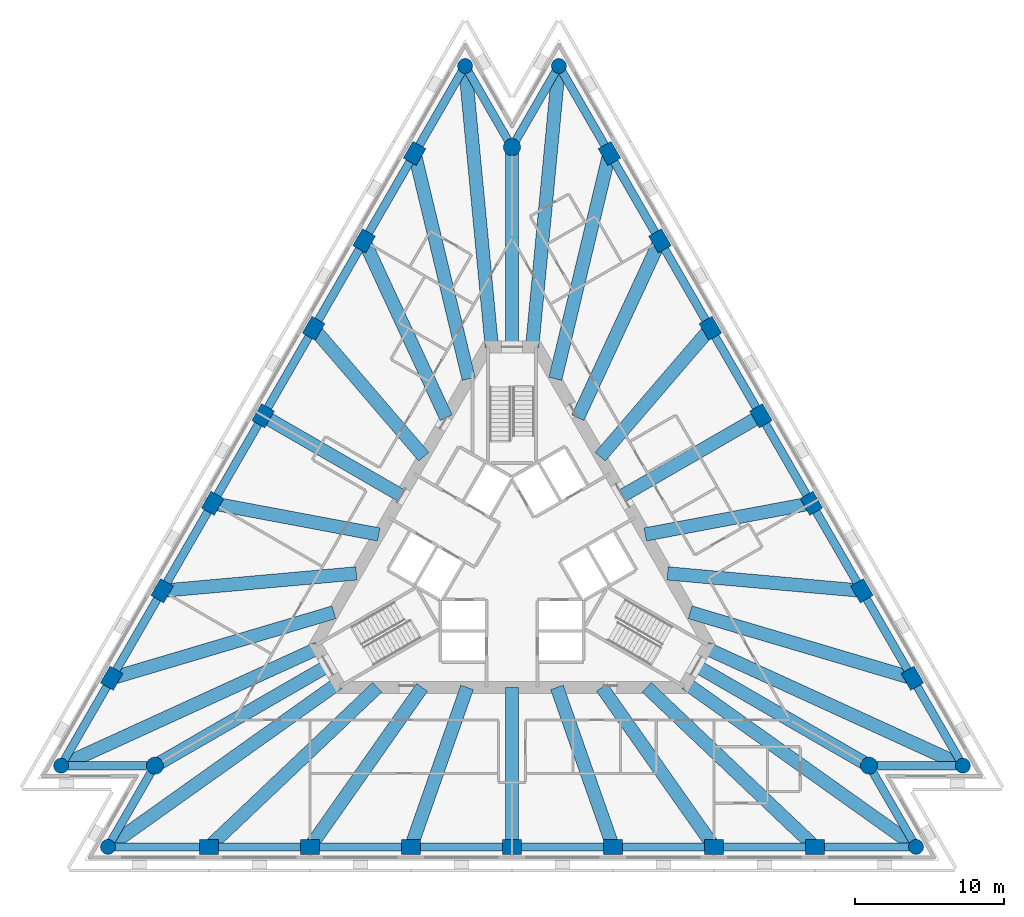
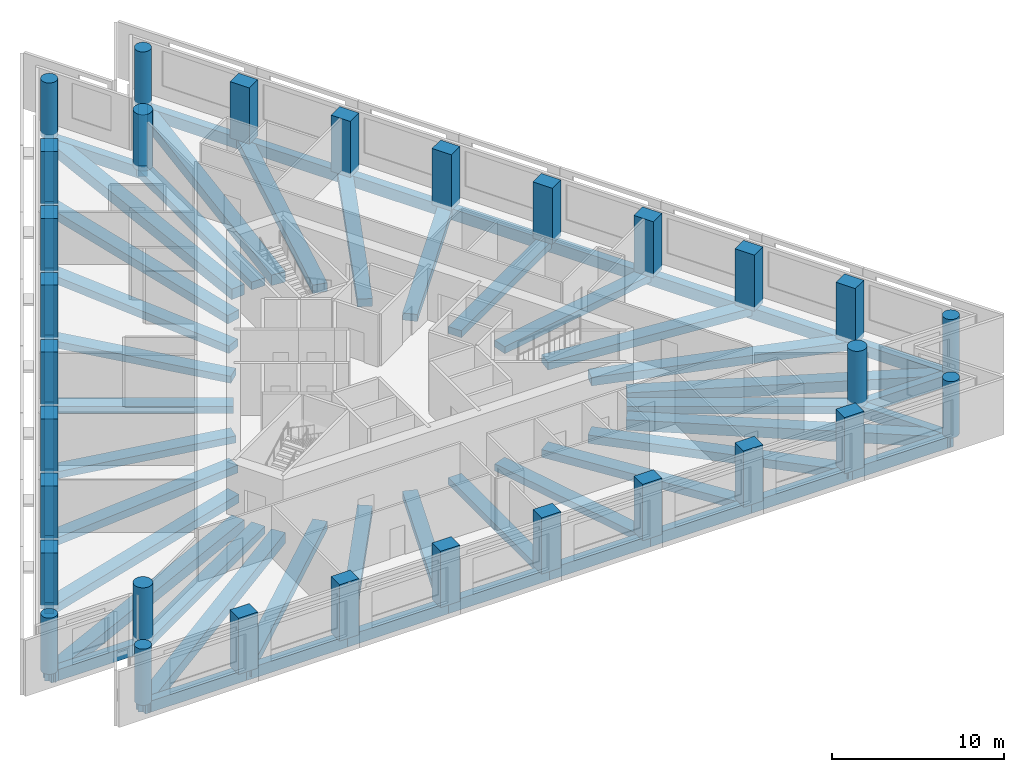
# One storey, part 1 of 9: 60 beams, 30 columns.
"""IFC4 building model written with IfcOpenShell, lengths in metres."""

from ifc_helpers import new_model, si_unit, direction, frame, origin, origin_2d, place, context, subcontext, project, spatial, rectangle, circle, extrude, material, material_profile, profile_set, type_object, element, save


model = new_model("IFC4")

# Units and contexts
model_context = context("Model", 3, precision=1e-05, world=origin(), true_north=direction((0.0, 1.0)))
body_context = subcontext(model_context, "Body", "Model", "MODEL_VIEW")
ifc_project = project(units=[si_unit("LENGTHUNIT", "METRE"), si_unit("AREAUNIT", "SQUARE_METRE"), si_unit("VOLUMEUNIT", "CUBIC_METRE"), si_unit("PLANEANGLEUNIT", "RADIAN"), si_unit("MASSUNIT", "GRAM", prefix="KILO")], contexts=[model_context])

# Site, building, storey
site_placement = place(None, origin())
site = spatial("IfcSite", under=ifc_project, at=site_placement, CompositionType="ELEMENT")
building_placement = place(site_placement, origin())
building = spatial("IfcBuilding", under=site, at=building_placement, Name="Triada Interchange Tower", CompositionType="ELEMENT")
storey_placement = place(building_placement, frame((0.0, 0.0, 136.300048828125)))
storey = spatial("IfcBuildingStorey", under=building, at=storey_placement, Name="L31", CompositionType="ELEMENT", Elevation=136.300048828125)

# Columns
ifc_material_1 = material(Name="Concrete C60/75", Category="concrete")
ifc_material_profile_1 = material_profile(ifc_material_1, rectangle(XDim=1.300048828125, YDim=1.0, at=origin_2d()), Name="RC 1300x1000")
ifc_profile_set_1 = profile_set([ifc_material_profile_1], Name="Concrete C60/75")
column_type_1 = type_object("IfcColumnType", Name="Column B face RC 1300x1000", PredefinedType="COLUMN", material=ifc_profile_set_1)
for number, where, z_axis, x_axis, name in (
    (1, (-6.551025390625, 27.31689453125, -0.300048828125), (0.0, 0.0, 1.0), (0.5, 0.866025403784, 0.0), "Column CB02 L31"),
    (2, (-9.947998046875, 21.43408203125, -0.300048828125), (0.0, 0.0, 1.0), (0.5, 0.866025403784, 0.0), "Column CB03 L31"),
    (3, (-13.344970703125, 15.550048828125, -0.300048828125), (0.0, 0.0, 1.0), (0.5, 0.866025403784, 0.0), "Column CB04 L31"),
    (4, (-16.741943359375, 9.666015625, -0.300048828125), (0.0, 0.0, 1.0), (0.5, 0.866025403784, 0.0), "Column CB05 L31"),
    (5, (-20.138916015625, 3.781982421875, -0.300048828125), (0.0, 0.0, 1.0), (0.5, 0.866025403784, 0.0), "Column CB06 L31"),
    (6, (-23.535888671875, -2.10205078125, -0.300048828125), (0.0, 0.0, 1.0), (0.5, 0.866025403784, 0.0), "Column CB07 L31"),
    (7, (-26.93310546875, -7.985107421875, -0.300048828125), (0.0, 0.0, 1.0), (0.5, 0.866025403784, 0.0), "Column CB08 L31"),
    (8, (-20.382080078125, -19.33203125, -0.300048828125), (0.0, 0.0, 1.0), (1.0, 0.0, 0.0), "Column CB11 L31"),
    (9, (-13.587890625, -19.33203125, -0.300048828125), (0.0, 0.0, 1.0), (1.0, 0.0, 0.0), "Column CB12 L31"),
    (10, (-6.7939453125, -19.33203125, -0.300048828125), (0.0, 0.0, 1.0), (1.0, 0.0, 0.0), "Column CB13 L31"),
    (11, (0.0, -19.33203125, -0.300048828125), (0.0, 0.0, 1.0), (1.0, 0.0, 0.0), "Column CB14 L31"),
    (12, (6.7939453125, -19.33203125, -0.300048828125), (0.0, 0.0, 1.0), (1.0, 0.0, 0.0), "Column CB15 L31"),
    (13, (13.587890625, -19.33203125, -0.300048828125), (0.0, 0.0, 1.0), (1.0, 0.0, 0.0), "Column CB16 L31"),
    (14, (20.382080078125, -19.33203125, -0.300048828125), (0.0, 0.0, 1.0), (1.0, 0.0, 0.0), "Column CB17 L31"),
    (15, (26.93310546875, -7.985107421875, -0.300048828125), (0.0, 0.0, 1.0), (-0.5, 0.866025403784, 0.0), "Column CB20 L31"),
    (16, (23.535888671875, -2.10107421875, -0.300048828125), (0.0, 0.0, 1.0), (-0.5, 0.866025403784, 0.0), "Column CB21 L31"),
    (17, (20.138916015625, 3.781982421875, -0.300048828125), (0.0, 0.0, 1.0), (-0.5, 0.866025403784, 0.0), "Column CB22 L31"),
    (18, (16.741943359375, 9.666015625, -0.300048828125), (0.0, 0.0, 1.0), (-0.5, 0.866025403784, 0.0), "Column CB23 L31"),
    (19, (13.344970703125, 15.550048828125, -0.300048828125), (0.0, 0.0, 1.0), (-0.5, 0.866025403784, 0.0), "Column CB24 L31"),
    (20, (9.947998046875, 21.43408203125, -0.300048828125), (0.0, 0.0, 1.0), (-0.5, 0.866025403784, 0.0), "Column CB25 L31"),
    (21, (6.551025390625, 27.31689453125, -0.300048828125), (0.0, 0.0, 1.0), (-0.5, 0.866025403784, 0.0), "Column CB26 L31"),
):
    element("IfcColumn", number, at=place(storey_placement, frame(where, z_axis=z_axis, x_axis=x_axis)), inside=storey, type_object=column_type_1, Name=name, PredefinedType="COLUMN", context=body_context, shape_type="SweptSolid", body=[
        extrude(rectangle(XDim=1.300048828125, YDim=1.0, at=origin_2d()), origin(), (0.0, 0.0, 1.0), 4.0),
    ])
ifc_material_profile_2 = material_profile(ifc_material_1, circle(Radius=0.5, at=origin_2d()), Name="RC D1000")
ifc_profile_set_2 = profile_set([ifc_material_profile_2], Name="Concrete C60/75")
column_type_2 = type_object("IfcColumnType", Name="End column B RC D1000", PredefinedType="COLUMN", material=ifc_profile_set_2)
for number, where, z_axis, x_axis, name in (
    (22, (-3.154052734375, 33.200927734375, -0.300048828125), (0.0, 0.0, 1.0), (0.5, 0.866025403784, 0.0), "Column CB01 L31"),
    (23, (-30.330078125, -13.868896484375, -0.300048828125), (0.0, 0.0, 1.0), (0.5, 0.866025403784, 0.0), "Column CB09 L31"),
    (24, (-27.176025390625, -19.33203125, -0.300048828125), (0.0, 0.0, 1.0), (1.0, 0.0, 0.0), "Column CB10 L31"),
    (25, (27.176025390625, -19.33203125, -0.300048828125), (0.0, 0.0, 1.0), (1.0, 0.0, 0.0), "Column CB18 L31"),
    (26, (30.330078125, -13.868896484375, -0.300048828125), (0.0, 0.0, 1.0), (-0.5, 0.866025403784, 0.0), "Column CB19 L31"),
    (27, (3.154052734375, 33.200927734375, -0.300048828125), (0.0, 0.0, 1.0), (-0.5, 0.866025403784, 0.0), "Column CB27 L31"),
):
    element("IfcColumn", number, at=place(storey_placement, frame(where, z_axis=z_axis, x_axis=x_axis)), inside=storey, type_object=column_type_2, Name=name, PredefinedType="COLUMN", context=body_context, shape_type="SweptSolid", body=[
        extrude(circle(Radius=0.5, at=origin_2d()), origin(), (0.0, 0.0, 1.0), 4.0),
    ])
ifc_material_profile_3 = material_profile(ifc_material_1, circle(Radius=0.574951171875, at=origin_2d()), Name="RC D1150")
ifc_profile_set_3 = profile_set([ifc_material_profile_3], Name="Concrete C60/75")
column_type_3 = type_object("IfcColumnType", Name="Mega column B RC D1150", PredefinedType="COLUMN", material=ifc_profile_set_3)
for number, where, z_axis, x_axis, name in (
    (28, (0.0, 27.739013671875, -0.300048828125), (0.0, 0.0, 1.0), (1.0, 0.0, 0.0), "Column MB1 L31"),
    (29, (-24.02197265625, -13.868896484375, -0.300048828125), (0.0, 0.0, 1.0), (1.0, 0.0, 0.0), "Column MB2 L31"),
    (30, (24.02197265625, -13.868896484375, -0.300048828125), (0.0, 0.0, 1.0), (1.0, 0.0, 0.0), "Column MB3 L31"),
):
    element("IfcColumn", number, at=place(storey_placement, frame(where, z_axis=z_axis, x_axis=x_axis)), inside=storey, type_object=column_type_3, Name=name, PredefinedType="COLUMN", context=body_context, shape_type="SweptSolid", body=[
        extrude(circle(Radius=0.574951171875, at=origin_2d()), origin(), (0.0, 0.0, 1.0), 4.0),
    ])

# Beams
ifc_material_2 = material(Name="Concrete C50/60", Category="concrete")
ifc_material_profile_4 = material_profile(ifc_material_2, rectangle(XDim=0.89990234375, YDim=0.5, at=origin_2d()), Name="RC 900x500")
ifc_profile_set_4 = profile_set([ifc_material_profile_4], Name="Concrete C50/60")
beam_type_1 = type_object("IfcBeamType", Name="Radial band beam B RC 900x500", PredefinedType="BEAM", material=ifc_profile_set_4)
beam_1_placement = place(storey_placement, frame((-13.344970703125, 15.550048828125, -0.550048828125), z_axis=(0.651256056595, -0.758858055731, 0.0), x_axis=(0.758858055731, 0.651256056595, 0.0)))
element("IfcBeam", 31, at=beam_1_placement, inside=storey, type_object=beam_type_1, Name="Radial band beam BB04 L31", PredefinedType="BEAM", context=body_context, shape_type="SweptSolid", body=[
    extrude(rectangle(XDim=0.89990234375, YDim=0.5, at=origin_2d()), origin(), (0.0, 0.0, 1.0), 11.37646484375),
])
beam_2_placement = place(storey_placement, frame((-16.741943359375, 9.666015625, -0.550048828125), z_axis=(0.866021168401, -0.500007335828, 0.0), x_axis=(0.500007335828, 0.866021168401, 0.0)))
element("IfcBeam", 32, at=beam_2_placement, inside=storey, type_object=beam_type_1, Name="Radial band beam BB05 L31", PredefinedType="BEAM", context=body_context, shape_type="SweptSolid", body=[
    extrude(rectangle(XDim=0.89990234375, YDim=0.5, at=origin_2d()), origin(), (0.0, 0.0, 1.0), 10.731689453125),
])
for number, where, z_axis, x_axis, name in (
    (33, (-20.138916015625, 3.781982421875, -0.550048828125), (0.982810661769, -0.184616367404, 0.0), (0.184616367404, 0.982810661769, 0.0), "Radial band beam BB06 L31"),
    (34, (-6.7939453125, -19.33203125, -0.550048828125), (0.331587190824, 0.943424578269, 0.0), (-0.943424578269, 0.331587190824, 0.0), "Radial band beam BB14 L31"),
):
    element("IfcBeam", number, at=place(storey_placement, frame(where, z_axis=z_axis, x_axis=x_axis)), inside=storey, type_object=beam_type_1, Name=name, PredefinedType="BEAM", context=body_context, shape_type="SweptSolid", body=[
        extrude(rectangle(XDim=0.89990234375, YDim=0.5, at=origin_2d()), origin(), (0.0, 0.0, 1.0), 11.37548828125),
    ])
beam_3_placement = place(storey_placement, frame((0.0, -19.33203125, -0.550048828125), z_axis=(0.0, 1.0, 0.0), x_axis=(-1.0, 0.0, 0.0)))
element("IfcBeam", 35, at=beam_3_placement, inside=storey, type_object=beam_type_1, Name="Radial band beam BB15 L31", PredefinedType="BEAM", context=body_context, shape_type="SweptSolid", body=[
    extrude(rectangle(XDim=0.89990234375, YDim=0.5, at=origin_2d()), origin(), (0.0, 0.0, 1.0), 10.73193359375),
])
for number, where, z_axis, x_axis, name in (
    (36, (6.7939453125, -19.33203125, -0.550048828125), (-0.331587190824, 0.943424578269, 0.0), (-0.943424578269, -0.331587190824, 0.0), "Radial band beam BB16 L31"),
    (37, (20.138916015625, 3.781982421875, -0.550048828125), (-0.982810661769, -0.184616367404, 0.0), (0.184616367404, -0.982810661769, 0.0), "Radial band beam BB24 L31"),
):
    element("IfcBeam", number, at=place(storey_placement, frame(where, z_axis=z_axis, x_axis=x_axis)), inside=storey, type_object=beam_type_1, Name=name, PredefinedType="BEAM", context=body_context, shape_type="SweptSolid", body=[
        extrude(rectangle(XDim=0.89990234375, YDim=0.5, at=origin_2d()), origin(), (0.0, 0.0, 1.0), 11.37548828125),
    ])
beam_4_placement = place(storey_placement, frame((16.741943359375, 9.666015625, -0.550048828125), z_axis=(-0.866021168401, -0.500007335828, 0.0), x_axis=(0.500007335828, -0.866021168401, 0.0)))
element("IfcBeam", 38, at=beam_4_placement, inside=storey, type_object=beam_type_1, Name="Radial band beam BB25 L31", PredefinedType="BEAM", context=body_context, shape_type="SweptSolid", body=[
    extrude(rectangle(XDim=0.89990234375, YDim=0.5, at=origin_2d()), origin(), (0.0, 0.0, 1.0), 10.731689453125),
])
beam_5_placement = place(storey_placement, frame((13.344970703125, 15.550048828125, -0.550048828125), z_axis=(-0.651256056595, -0.758858055731, 0.0), x_axis=(0.758858055731, -0.651256056595, 0.0)))
element("IfcBeam", 39, at=beam_5_placement, inside=storey, type_object=beam_type_1, Name="Radial band beam BB26 L31", PredefinedType="BEAM", context=body_context, shape_type="SweptSolid", body=[
    extrude(rectangle(XDim=0.89990234375, YDim=0.5, at=origin_2d()), origin(), (0.0, 0.0, 1.0), 11.37646484375),
])
ifc_material_profile_5 = material_profile(ifc_material_2, rectangle(XDim=0.89990234375, YDim=0.550048828125, at=origin_2d()), Name="RC 900x550")
ifc_profile_set_5 = profile_set([ifc_material_profile_5], Name="Concrete C50/60")
beam_type_2 = type_object("IfcBeamType", Name="Radial band beam B RC 900x550", PredefinedType="BEAM", material=ifc_profile_set_5)
beam_6_placement = place(storey_placement, frame((-9.947998046875, 21.43408203125, -0.574951171875), z_axis=(0.421006866112, -0.907057450599, 0.0), x_axis=(0.907057450599, 0.421006866112, 0.0)))
element("IfcBeam", 40, at=beam_6_placement, inside=storey, type_object=beam_type_2, Name="Radial band beam BB03 L31", PredefinedType="BEAM", context=body_context, shape_type="SweptSolid", body=[
    extrude(rectangle(XDim=0.89990234375, YDim=0.550048828125, at=origin_2d()), origin(), (0.0, 0.0, 1.0), 13.118408203125),
])
beam_7_placement = place(storey_placement, frame((-23.535888671875, -2.10205078125, -0.574951171875), z_axis=(0.996035055379, 0.088961612256, 0.0), x_axis=(-0.088961612256, 0.996035055379, 0.0)))
element("IfcBeam", 41, at=beam_7_placement, inside=storey, type_object=beam_type_2, Name="Radial band beam BB07 L31", PredefinedType="BEAM", context=body_context, shape_type="SweptSolid", body=[
    extrude(rectangle(XDim=0.89990234375, YDim=0.550048828125, at=origin_2d()), origin(), (0.0, 0.0, 1.0), 13.117919921875),
])
beam_8_placement = place(storey_placement, frame((-24.02197265625, -13.868896484375, -0.574951171875), z_axis=(0.866030989016, 0.499990325971, 0.0), x_axis=(-0.499990325971, 0.866030989016, 0.0)))
element("IfcBeam", 42, at=beam_8_placement, inside=storey, type_object=beam_type_2, Name="Radial band beam BB10 L31", PredefinedType="BEAM", context=body_context, shape_type="SweptSolid", body=[
    extrude(rectangle(XDim=0.89990234375, YDim=0.550048828125, at=origin_2d()), origin(), (0.0, 0.0, 1.0), 13.438232421875),
])
for number, where, z_axis, x_axis, name in (
    (43, (-13.587890625, -19.33203125, -0.574951171875), (0.575027678411, 0.81813395545, 0.0), (-0.81813395545, 0.575027678411, 0.0), "Radial band beam BB13 L31"),
    (44, (13.587890625, -19.33203125, -0.574951171875), (-0.575027678411, 0.81813395545, 0.0), (-0.81813395545, -0.575027678411, 0.0), "Radial band beam BB17 L31"),
):
    element("IfcBeam", number, at=place(storey_placement, frame(where, z_axis=z_axis, x_axis=x_axis)), inside=storey, type_object=beam_type_2, Name=name, PredefinedType="BEAM", context=body_context, shape_type="SweptSolid", body=[
        extrude(rectangle(XDim=0.89990234375, YDim=0.550048828125, at=origin_2d()), origin(), (0.0, 0.0, 1.0), 13.11767578125),
    ])
beam_9_placement = place(storey_placement, frame((24.02197265625, -13.868896484375, -0.574951171875), z_axis=(-0.866030989016, 0.499990325971, 0.0), x_axis=(-0.499990325971, -0.866030989016, 0.0)))
element("IfcBeam", 45, at=beam_9_placement, inside=storey, type_object=beam_type_2, Name="Radial band beam BB20 L31", PredefinedType="BEAM", context=body_context, shape_type="SweptSolid", body=[
    extrude(rectangle(XDim=0.89990234375, YDim=0.550048828125, at=origin_2d()), origin(), (0.0, 0.0, 1.0), 13.438232421875),
])
beam_10_placement = place(storey_placement, frame((23.535888671875, -2.10107421875, -0.574951171875), z_axis=(-0.996041649161, 0.088887755828, 0.0), x_axis=(-0.088887755828, -0.996041649161, 0.0)))
element("IfcBeam", 46, at=beam_10_placement, inside=storey, type_object=beam_type_2, Name="Radial band beam BB23 L31", PredefinedType="BEAM", context=body_context, shape_type="SweptSolid", body=[
    extrude(rectangle(XDim=0.89990234375, YDim=0.550048828125, at=origin_2d()), origin(), (0.0, 0.0, 1.0), 13.117919921875),
])
beam_11_placement = place(storey_placement, frame((9.947998046875, 21.43408203125, -0.574951171875), z_axis=(-0.421006866112, -0.907057450599, 0.0), x_axis=(0.907057450599, -0.421006866112, 0.0)))
element("IfcBeam", 47, at=beam_11_placement, inside=storey, type_object=beam_type_2, Name="Radial band beam BB27 L31", PredefinedType="BEAM", context=body_context, shape_type="SweptSolid", body=[
    extrude(rectangle(XDim=0.89990234375, YDim=0.550048828125, at=origin_2d()), origin(), (0.0, 0.0, 1.0), 13.118408203125),
])
beam_12_placement = place(storey_placement, frame((0.0, 27.739013671875, -0.574951171875), z_axis=(0.0, -1.0, 0.0), x_axis=(1.0, 0.0, 0.0)))
element("IfcBeam", 48, at=beam_12_placement, inside=storey, type_object=beam_type_2, Name="Radial band beam BB30 L31", PredefinedType="BEAM", context=body_context, shape_type="SweptSolid", body=[
    extrude(rectangle(XDim=0.89990234375, YDim=0.550048828125, at=origin_2d()), origin(), (0.0, 0.0, 1.0), 13.43896484375),
])
ifc_material_profile_6 = material_profile(ifc_material_2, rectangle(XDim=0.89990234375, YDim=0.60009765625, at=origin_2d()), Name="RC 900x600")
ifc_profile_set_6 = profile_set([ifc_material_profile_6], Name="Concrete C50/60")
beam_type_3 = type_object("IfcBeamType", Name="Radial band beam B RC 900x600", PredefinedType="BEAM", material=ifc_profile_set_6)
beam_13_placement = place(storey_placement, frame((-6.551025390625, 27.31689453125, -0.60009765625), z_axis=(0.23321604182, -0.972424947149, 0.0), x_axis=(0.972424947149, 0.23321604182, 0.0)))
element("IfcBeam", 49, at=beam_13_placement, inside=storey, type_object=beam_type_3, Name="Radial band beam BB02 L31", PredefinedType="BEAM", context=body_context, shape_type="SweptSolid", body=[
    extrude(rectangle(XDim=0.89990234375, YDim=0.60009765625, at=origin_2d()), origin(), (0.0, 0.0, 1.0), 15.5947265625),
])
beam_14_placement = place(storey_placement, frame((-26.93310546875, -7.985107421875, -0.60009765625), z_axis=(0.958748508844, 0.284255689106, 0.0), x_axis=(-0.284255689106, 0.958748508844, 0.0)))
element("IfcBeam", 50, at=beam_14_placement, inside=storey, type_object=beam_type_3, Name="Radial band beam BB08 L31", PredefinedType="BEAM", context=body_context, shape_type="SweptSolid", body=[
    extrude(rectangle(XDim=0.89990234375, YDim=0.60009765625, at=origin_2d()), origin(), (0.0, 0.0, 1.0), 15.595458984375),
])
for number, where, z_axis, x_axis, name in (
    (51, (-20.382080078125, -19.33203125, -0.60009765625), (0.725559294955, 0.68815965408, 0.0), (-0.68815965408, 0.725559294955, 0.0), "Radial band beam BB12 L31"),
    (52, (20.382080078125, -19.33203125, -0.60009765625), (-0.725559294955, 0.68815965408, 0.0), (-0.68815965408, -0.725559294955, 0.0), "Radial band beam BB18 L31"),
):
    element("IfcBeam", number, at=place(storey_placement, frame(where, z_axis=z_axis, x_axis=x_axis)), inside=storey, type_object=beam_type_3, Name=name, PredefinedType="BEAM", context=body_context, shape_type="SweptSolid", body=[
        extrude(rectangle(XDim=0.89990234375, YDim=0.60009765625, at=origin_2d()), origin(), (0.0, 0.0, 1.0), 15.59521484375),
    ])
beam_15_placement = place(storey_placement, frame((26.93310546875, -7.985107421875, -0.60009765625), z_axis=(-0.958748508844, 0.284255689106, 0.0), x_axis=(-0.284255689106, -0.958748508844, 0.0)))
element("IfcBeam", 53, at=beam_15_placement, inside=storey, type_object=beam_type_3, Name="Radial band beam BB22 L31", PredefinedType="BEAM", context=body_context, shape_type="SweptSolid", body=[
    extrude(rectangle(XDim=0.89990234375, YDim=0.60009765625, at=origin_2d()), origin(), (0.0, 0.0, 1.0), 15.595458984375),
])
beam_16_placement = place(storey_placement, frame((6.551025390625, 27.31689453125, -0.60009765625), z_axis=(-0.23321604182, -0.972424947149, 0.0), x_axis=(0.972424947149, -0.23321604182, 0.0)))
element("IfcBeam", 54, at=beam_16_placement, inside=storey, type_object=beam_type_3, Name="Radial band beam BB28 L31", PredefinedType="BEAM", context=body_context, shape_type="SweptSolid", body=[
    extrude(rectangle(XDim=0.89990234375, YDim=0.60009765625, at=origin_2d()), origin(), (0.0, 0.0, 1.0), 15.5947265625),
])
ifc_material_profile_7 = material_profile(ifc_material_2, rectangle(XDim=0.89990234375, YDim=0.75, at=origin_2d()), Name="RC 900x750")
ifc_profile_set_7 = profile_set([ifc_material_profile_7], Name="Concrete C50/60")
beam_type_4 = type_object("IfcBeamType", Name="Radial band beam B RC 900x750", PredefinedType="BEAM", material=ifc_profile_set_7)
beam_17_placement = place(storey_placement, frame((-3.154052734375, 33.200927734375, -0.675048828125), z_axis=(0.094603376124, -0.995515043194, 0.0), x_axis=(0.995515043194, 0.094603376124, 0.0)))
element("IfcBeam", 55, at=beam_17_placement, inside=storey, type_object=beam_type_4, Name="Radial band beam BB01 L31", PredefinedType="BEAM", context=body_context, shape_type="SweptSolid", body=[
    extrude(rectangle(XDim=0.89990234375, YDim=0.75, at=origin_2d()), origin(), (0.0, 0.0, 1.0), 18.986083984375),
])
beam_18_placement = place(storey_placement, frame((-30.330078125, -13.868896484375, -0.675048828125), z_axis=(0.909425292893, 0.415867330582, 0.0), x_axis=(-0.415867330582, 0.909425292893, 0.0)))
element("IfcBeam", 56, at=beam_18_placement, inside=storey, type_object=beam_type_4, Name="Radial band beam BB09 L31", PredefinedType="BEAM", context=body_context, shape_type="SweptSolid", body=[
    extrude(rectangle(XDim=0.89990234375, YDim=0.75, at=origin_2d()), origin(), (0.0, 0.0, 1.0), 18.98681640625),
])
for number, where, z_axis, x_axis, name in (
    (57, (-27.176025390625, -19.33203125, -0.675048828125), (0.814842351671, 0.579682621719, 0.0), (-0.579682621719, 0.814842351671, 0.0), "Radial band beam BB11 L31"),
    (58, (27.176025390625, -19.33203125, -0.675048828125), (-0.814842351671, 0.579682621719, 0.0), (-0.579682621719, -0.814842351671, 0.0), "Radial band beam BB19 L31"),
):
    element("IfcBeam", number, at=place(storey_placement, frame(where, z_axis=z_axis, x_axis=x_axis)), inside=storey, type_object=beam_type_4, Name=name, PredefinedType="BEAM", context=body_context, shape_type="SweptSolid", body=[
        extrude(rectangle(XDim=0.89990234375, YDim=0.75, at=origin_2d()), origin(), (0.0, 0.0, 1.0), 18.986328125),
    ])
beam_19_placement = place(storey_placement, frame((30.330078125, -13.868896484375, -0.675048828125), z_axis=(-0.909425292893, 0.415867330582, 0.0), x_axis=(-0.415867330582, -0.909425292893, 0.0)))
element("IfcBeam", 59, at=beam_19_placement, inside=storey, type_object=beam_type_4, Name="Radial band beam BB21 L31", PredefinedType="BEAM", context=body_context, shape_type="SweptSolid", body=[
    extrude(rectangle(XDim=0.89990234375, YDim=0.75, at=origin_2d()), origin(), (0.0, 0.0, 1.0), 18.98681640625),
])
beam_20_placement = place(storey_placement, frame((3.154052734375, 33.200927734375, -0.675048828125), z_axis=(-0.094603376124, -0.995515043194, 0.0), x_axis=(0.995515043194, -0.094603376124, 0.0)))
element("IfcBeam", 60, at=beam_20_placement, inside=storey, type_object=beam_type_4, Name="Radial band beam BB29 L31", PredefinedType="BEAM", context=body_context, shape_type="SweptSolid", body=[
    extrude(rectangle(XDim=0.89990234375, YDim=0.75, at=origin_2d()), origin(), (0.0, 0.0, 1.0), 18.986083984375),
])
ifc_material_profile_8 = material_profile(ifc_material_2, rectangle(XDim=0.550048828125, YDim=0.800048828125, at=origin_2d()), Name="RC 550x800")
ifc_profile_set_8 = profile_set([ifc_material_profile_8], Name="Concrete C50/60")
beam_type_5 = type_object("IfcBeamType", Name="Spandrel beam B RC 550x800", PredefinedType="BEAM", material=ifc_profile_set_8)
beam_21_placement = place(storey_placement, frame((-3.154052734375, 33.200927734375, -0.699951171875), z_axis=(-0.499980627034, -0.866036588483, 0.0), x_axis=(0.866036588483, -0.499980627034, 0.0)))
element("IfcBeam", 61, at=beam_21_placement, inside=storey, type_object=beam_type_5, Name="Spandrel beam EB01 L31", PredefinedType="BEAM", context=body_context, shape_type="SweptSolid", body=[
    extrude(rectangle(XDim=0.550048828125, YDim=0.800048828125, at=origin_2d()), origin(), (0.0, 0.0, 1.0), 6.794189453125),
])
beam_22_placement = place(storey_placement, frame((-6.551025390625, 27.31689453125, -0.699951171875), z_axis=(-0.50005843372, -0.865991664432, 0.0), x_axis=(0.865991664432, -0.50005843372, 0.0)))
element("IfcBeam", 62, at=beam_22_placement, inside=storey, type_object=beam_type_5, Name="Spandrel beam EB02 L31", PredefinedType="BEAM", context=body_context, shape_type="SweptSolid", body=[
    extrude(rectangle(XDim=0.550048828125, YDim=0.800048828125, at=origin_2d()), origin(), (0.0, 0.0, 1.0), 6.793212890625),
])
for number, where, z_axis, x_axis, name in (
    (63, (-9.947998046875, 21.43408203125, -0.699951171875), (-0.499980627034, -0.866036588483, 0.0), (0.866036588483, -0.499980627034, 0.0), "Spandrel beam EB03 L31"),
    (64, (-13.344970703125, 15.550048828125, -0.699951171875), (-0.499980627034, -0.866036588483, 0.0), (0.866036588483, -0.499980627034, 0.0), "Spandrel beam EB04 L31"),
    (65, (-16.741943359375, 9.666015625, -0.699951171875), (-0.499980627034, -0.866036588483, 0.0), (0.866036588483, -0.499980627034, 0.0), "Spandrel beam EB05 L31"),
    (66, (-20.138916015625, 3.781982421875, -0.699951171875), (-0.499980627034, -0.866036588483, 0.0), (0.866036588483, -0.499980627034, 0.0), "Spandrel beam EB06 L31"),
):
    element("IfcBeam", number, at=place(storey_placement, frame(where, z_axis=z_axis, x_axis=x_axis)), inside=storey, type_object=beam_type_5, Name=name, PredefinedType="BEAM", context=body_context, shape_type="SweptSolid", body=[
        extrude(rectangle(XDim=0.550048828125, YDim=0.800048828125, at=origin_2d()), origin(), (0.0, 0.0, 1.0), 6.794189453125),
    ])
beam_23_placement = place(storey_placement, frame((-23.535888671875, -2.10205078125, -0.699951171875), z_axis=(-0.500069822084, -0.865985088232, 0.0), x_axis=(0.865985088232, -0.500069822084, 0.0)))
element("IfcBeam", 67, at=beam_23_placement, inside=storey, type_object=beam_type_5, Name="Spandrel beam EB07 L31", PredefinedType="BEAM", context=body_context, shape_type="SweptSolid", body=[
    extrude(rectangle(XDim=0.550048828125, YDim=0.800048828125, at=origin_2d()), origin(), (0.0, 0.0, 1.0), 6.79345703125),
])
beam_24_placement = place(storey_placement, frame((-26.93310546875, -7.985107421875, -0.699951171875), z_axis=(-0.499996186757, -0.86602760535, 0.0), x_axis=(0.86602760535, -0.499996186757, 0.0)))
element("IfcBeam", 68, at=beam_24_placement, inside=storey, type_object=beam_type_5, Name="Spandrel beam EB08 L31", PredefinedType="BEAM", context=body_context, shape_type="SweptSolid", body=[
    extrude(rectangle(XDim=0.550048828125, YDim=0.800048828125, at=origin_2d()), origin(), (0.0, 0.0, 1.0), 6.7939453125),
])
beam_25_placement = place(storey_placement, frame((-30.330078125, -13.868896484375, -0.699951171875), z_axis=(1.0, 0.0, 0.0), x_axis=(0.0, 1.0, 0.0)))
element("IfcBeam", 69, at=beam_25_placement, inside=storey, type_object=beam_type_5, Name="Spandrel beam EB09 L31", PredefinedType="BEAM", context=body_context, shape_type="SweptSolid", body=[
    extrude(rectangle(XDim=0.550048828125, YDim=0.800048828125, at=origin_2d()), origin(), (0.0, 0.0, 1.0), 6.30810546875),
])
beam_26_placement = place(storey_placement, frame((-24.02197265625, -13.868896484375, -0.699951171875), z_axis=(-0.499989348039, -0.866031553609, 0.0), x_axis=(0.866031553609, -0.499989348039, 0.0)))
element("IfcBeam", 70, at=beam_26_placement, inside=storey, type_object=beam_type_5, Name="Spandrel beam EB10 L31", PredefinedType="BEAM", context=body_context, shape_type="SweptSolid", body=[
    extrude(rectangle(XDim=0.550048828125, YDim=0.800048828125, at=origin_2d()), origin(), (0.0, 0.0, 1.0), 6.308349609375),
])
beam_27_placement = place(storey_placement, frame((-27.176025390625, -19.33203125, -0.699951171875), z_axis=(1.0, 0.0, 0.0), x_axis=(0.0, 1.0, 0.0)))
element("IfcBeam", 71, at=beam_27_placement, inside=storey, type_object=beam_type_5, Name="Spandrel beam EB11 L31", PredefinedType="BEAM", context=body_context, shape_type="SweptSolid", body=[
    extrude(rectangle(XDim=0.550048828125, YDim=0.800048828125, at=origin_2d()), origin(), (0.0, 0.0, 1.0), 6.7939453125),
])
beam_28_placement = place(storey_placement, frame((-20.382080078125, -19.33203125, -0.699951171875), z_axis=(1.0, 0.0, 0.0), x_axis=(0.0, 1.0, 0.0)))
element("IfcBeam", 72, at=beam_28_placement, inside=storey, type_object=beam_type_5, Name="Spandrel beam EB12 L31", PredefinedType="BEAM", context=body_context, shape_type="SweptSolid", body=[
    extrude(rectangle(XDim=0.550048828125, YDim=0.800048828125, at=origin_2d()), origin(), (0.0, 0.0, 1.0), 6.794189453125),
])
for number, where, z_axis, x_axis, name in (
    (73, (-13.587890625, -19.33203125, -0.699951171875), (1.0, 0.0, 0.0), (0.0, 1.0, 0.0), "Spandrel beam EB13 L31"),
    (74, (-6.7939453125, -19.33203125, -0.699951171875), (1.0, 0.0, 0.0), (0.0, 1.0, 0.0), "Spandrel beam EB14 L31"),
    (75, (0.0, -19.33203125, -0.699951171875), (1.0, 0.0, 0.0), (0.0, 1.0, 0.0), "Spandrel beam EB15 L31"),
    (76, (6.7939453125, -19.33203125, -0.699951171875), (1.0, 0.0, 0.0), (0.0, 1.0, 0.0), "Spandrel beam EB16 L31"),
):
    element("IfcBeam", number, at=place(storey_placement, frame(where, z_axis=z_axis, x_axis=x_axis)), inside=storey, type_object=beam_type_5, Name=name, PredefinedType="BEAM", context=body_context, shape_type="SweptSolid", body=[
        extrude(rectangle(XDim=0.550048828125, YDim=0.800048828125, at=origin_2d()), origin(), (0.0, 0.0, 1.0), 6.7939453125),
    ])
beam_29_placement = place(storey_placement, frame((13.587890625, -19.33203125, -0.699951171875), z_axis=(1.0, 0.0, 0.0), x_axis=(0.0, 1.0, 0.0)))
element("IfcBeam", 77, at=beam_29_placement, inside=storey, type_object=beam_type_5, Name="Spandrel beam EB17 L31", PredefinedType="BEAM", context=body_context, shape_type="SweptSolid", body=[
    extrude(rectangle(XDim=0.550048828125, YDim=0.800048828125, at=origin_2d()), origin(), (0.0, 0.0, 1.0), 6.794189453125),
])
beam_30_placement = place(storey_placement, frame((20.382080078125, -19.33203125, -0.699951171875), z_axis=(1.0, 0.0, 0.0), x_axis=(0.0, 1.0, 0.0)))
element("IfcBeam", 78, at=beam_30_placement, inside=storey, type_object=beam_type_5, Name="Spandrel beam EB18 L31", PredefinedType="BEAM", context=body_context, shape_type="SweptSolid", body=[
    extrude(rectangle(XDim=0.550048828125, YDim=0.800048828125, at=origin_2d()), origin(), (0.0, 0.0, 1.0), 6.7939453125),
])
beam_31_placement = place(storey_placement, frame((27.176025390625, -19.33203125, -0.699951171875), z_axis=(-0.499989348039, 0.866031553609, 0.0), x_axis=(-0.866031553609, -0.499989348039, 0.0)))
element("IfcBeam", 79, at=beam_31_placement, inside=storey, type_object=beam_type_5, Name="Spandrel beam EB19 L31", PredefinedType="BEAM", context=body_context, shape_type="SweptSolid", body=[
    extrude(rectangle(XDim=0.550048828125, YDim=0.800048828125, at=origin_2d()), origin(), (0.0, 0.0, 1.0), 6.308349609375),
])
beam_32_placement = place(storey_placement, frame((24.02197265625, -13.868896484375, -0.699951171875), z_axis=(1.0, 0.0, 0.0), x_axis=(0.0, 1.0, 0.0)))
element("IfcBeam", 80, at=beam_32_placement, inside=storey, type_object=beam_type_5, Name="Spandrel beam EB20 L31", PredefinedType="BEAM", context=body_context, shape_type="SweptSolid", body=[
    extrude(rectangle(XDim=0.550048828125, YDim=0.800048828125, at=origin_2d()), origin(), (0.0, 0.0, 1.0), 6.30810546875),
])
beam_33_placement = place(storey_placement, frame((30.330078125, -13.868896484375, -0.699951171875), z_axis=(-0.499996186757, 0.86602760535, 0.0), x_axis=(-0.86602760535, -0.499996186757, 0.0)))
element("IfcBeam", 81, at=beam_33_placement, inside=storey, type_object=beam_type_5, Name="Spandrel beam EB21 L31", PredefinedType="BEAM", context=body_context, shape_type="SweptSolid", body=[
    extrude(rectangle(XDim=0.550048828125, YDim=0.800048828125, at=origin_2d()), origin(), (0.0, 0.0, 1.0), 6.7939453125),
])
beam_34_placement = place(storey_placement, frame((26.93310546875, -7.985107421875, -0.699951171875), z_axis=(-0.500007577232, 0.866021029023, 0.0), x_axis=(-0.866021029023, -0.500007577232, 0.0)))
element("IfcBeam", 82, at=beam_34_placement, inside=storey, type_object=beam_type_5, Name="Spandrel beam EB22 L31", PredefinedType="BEAM", context=body_context, shape_type="SweptSolid", body=[
    extrude(rectangle(XDim=0.550048828125, YDim=0.800048828125, at=origin_2d()), origin(), (0.0, 0.0, 1.0), 6.79443359375),
])
beam_35_placement = place(storey_placement, frame((23.535888671875, -2.10107421875, -0.699951171875), z_axis=(-0.500042870768, 0.86600065092, 0.0), x_axis=(-0.86600065092, -0.500042870768, 0.0)))
element("IfcBeam", 83, at=beam_35_placement, inside=storey, type_object=beam_type_5, Name="Spandrel beam EB23 L31", PredefinedType="BEAM", context=body_context, shape_type="SweptSolid", body=[
    extrude(rectangle(XDim=0.550048828125, YDim=0.800048828125, at=origin_2d()), origin(), (0.0, 0.0, 1.0), 6.79345703125),
])
for number, where, z_axis, x_axis, name in (
    (84, (20.138916015625, 3.781982421875, -0.699951171875), (-0.499980627034, 0.866036588483, 0.0), (-0.866036588483, -0.499980627034, 0.0), "Spandrel beam EB24 L31"),
    (85, (16.741943359375, 9.666015625, -0.699951171875), (-0.499980627034, 0.866036588483, 0.0), (-0.866036588483, -0.499980627034, 0.0), "Spandrel beam EB25 L31"),
    (86, (13.344970703125, 15.550048828125, -0.699951171875), (-0.499980627034, 0.866036588483, 0.0), (-0.866036588483, -0.499980627034, 0.0), "Spandrel beam EB26 L31"),
):
    element("IfcBeam", number, at=place(storey_placement, frame(where, z_axis=z_axis, x_axis=x_axis)), inside=storey, type_object=beam_type_5, Name=name, PredefinedType="BEAM", context=body_context, shape_type="SweptSolid", body=[
        extrude(rectangle(XDim=0.550048828125, YDim=0.800048828125, at=origin_2d()), origin(), (0.0, 0.0, 1.0), 6.794189453125),
    ])
beam_36_placement = place(storey_placement, frame((9.947998046875, 21.43408203125, -0.699951171875), z_axis=(-0.50005843372, 0.865991664432, 0.0), x_axis=(-0.865991664432, -0.50005843372, 0.0)))
element("IfcBeam", 87, at=beam_36_placement, inside=storey, type_object=beam_type_5, Name="Spandrel beam EB27 L31", PredefinedType="BEAM", context=body_context, shape_type="SweptSolid", body=[
    extrude(rectangle(XDim=0.550048828125, YDim=0.800048828125, at=origin_2d()), origin(), (0.0, 0.0, 1.0), 6.793212890625),
])
beam_37_placement = place(storey_placement, frame((6.551025390625, 27.31689453125, -0.699951171875), z_axis=(-0.499980627034, 0.866036588483, 0.0), x_axis=(-0.866036588483, -0.499980627034, 0.0)))
element("IfcBeam", 88, at=beam_37_placement, inside=storey, type_object=beam_type_5, Name="Spandrel beam EB28 L31", PredefinedType="BEAM", context=body_context, shape_type="SweptSolid", body=[
    extrude(rectangle(XDim=0.550048828125, YDim=0.800048828125, at=origin_2d()), origin(), (0.0, 0.0, 1.0), 6.794189453125),
])
for number, where, z_axis, x_axis, name in (
    (89, (3.154052734375, 33.200927734375, -0.699951171875), (-0.50007315054, -0.865983166181, 0.0), (0.865983166181, -0.50007315054, 0.0), "Spandrel beam EB29 L31"),
    (90, (0.0, 27.739013671875, -0.699951171875), (-0.50007315054, 0.865983166181, 0.0), (-0.865983166181, -0.50007315054, 0.0), "Spandrel beam EB30 L31"),
):
    element("IfcBeam", number, at=place(storey_placement, frame(where, z_axis=z_axis, x_axis=x_axis)), inside=storey, type_object=beam_type_5, Name=name, PredefinedType="BEAM", context=body_context, shape_type="SweptSolid", body=[
        extrude(rectangle(XDim=0.550048828125, YDim=0.800048828125, at=origin_2d()), origin(), (0.0, 0.0, 1.0), 6.30712890625),
    ])

save(model, "model.ifc")
